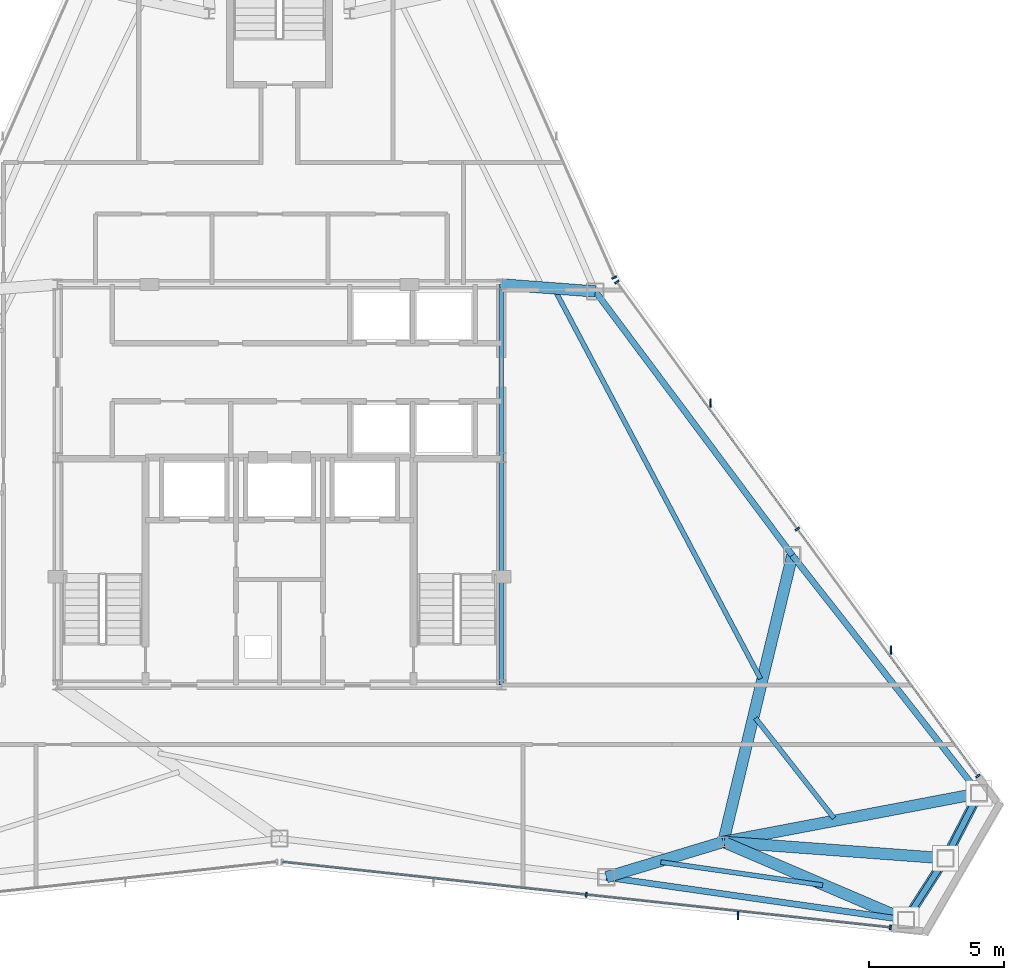
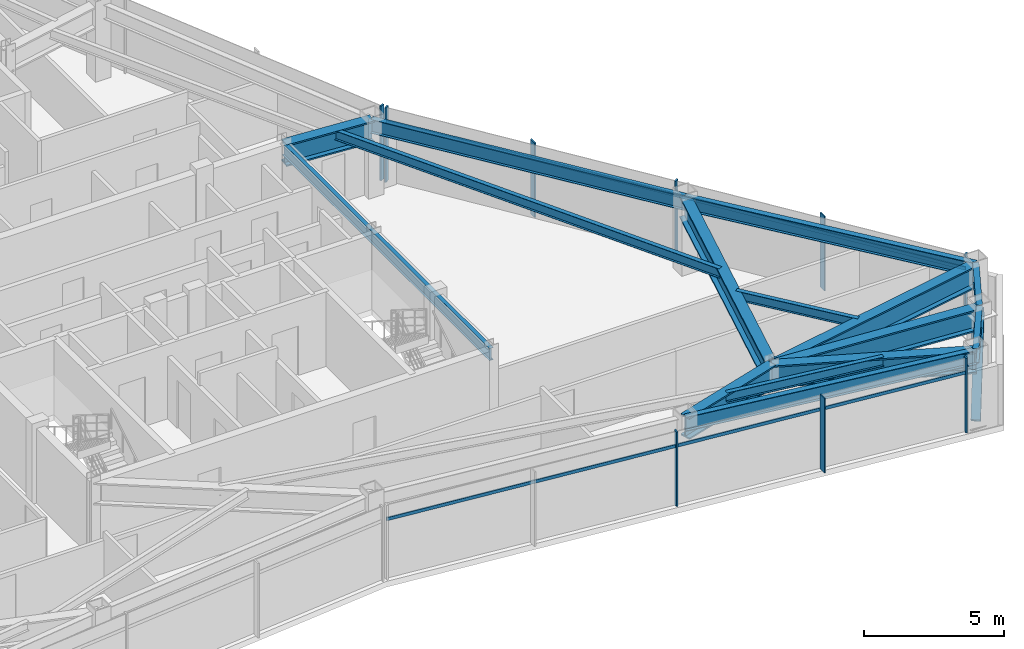
# One storey, part 6 of 12: 15 beams, 13 members, 3 elements without a shape of their own.
"""IFC4 building model written with IfcOpenShell, lengths in metres."""

from ifc_helpers import new_model, si_unit, direction, frame, origin, origin_2d, place, context, subcontext, project, spatial, rectangle, hollow_rectangle, i_section, extrude, source, transform, mapped, material, layer, layer_set, material_profile, profile_set, type_object, type_shapes, element, aggregate, save


model = new_model("IFC4")

# Units and contexts
model_context = context("Model", 3, precision=1e-05, world=origin(), true_north=direction((0.0, 1.0)))
body_context = subcontext(model_context, "Body", "Model", "MODEL_VIEW")
ifc_project = project(units=[si_unit("LENGTHUNIT", "METRE"), si_unit("AREAUNIT", "SQUARE_METRE"), si_unit("VOLUMEUNIT", "CUBIC_METRE"), si_unit("PLANEANGLEUNIT", "RADIAN"), si_unit("MASSUNIT", "GRAM", prefix="KILO")], contexts=[model_context])

# Site, building, storey
site_placement = place(None, origin())
site = spatial("IfcSite", under=ifc_project, at=site_placement, CompositionType="ELEMENT")
building_placement = place(site_placement, origin())
building = spatial("IfcBuilding", under=site, at=building_placement, Name="Varakhsha Concourse Tower", CompositionType="ELEMENT")
storey_placement = place(building_placement, frame((0.0, 0.0, 269.0)))
storey = spatial("IfcBuildingStorey", under=building, at=storey_placement, Name="L76", CompositionType="ELEMENT", Elevation=269.0)

# Beams
ifc_material_1 = material(Name="Structural Steel ASTM A992 Grade 50", Category="steel")
ifc_material_profile_1 = material_profile(ifc_material_1, i_section(OverallWidth=0.177978515625, OverallDepth=0.406982421875, WebThickness=0.008056640625, FlangeThickness=0.012939453125, at=origin_2d()), Name="W16X40")
ifc_profile_set_1 = profile_set([ifc_material_profile_1], Name="Structural Steel ASTM A992 Grade 50")
beam_type_1 = type_object("IfcBeamType", Name="BM-JST-W16X40", PredefinedType="JOIST", material=ifc_profile_set_1)
beam_1_placement = place(storey_placement, frame((54.08984375, 9.85302734375, 3.04638671875), z_axis=(0.989961614971, -0.141336481079, 0.0), x_axis=(0.141336481079, 0.989961614971, 0.0)))
element("IfcBeam", 1, at=beam_1_placement, inside=storey, type_object=beam_type_1, Name="BM-TJST-L76-12", PredefinedType="JOIST", context=body_context, shape_type="SweptSolid", body=[
    extrude(i_section(OverallWidth=0.177978515625, OverallDepth=0.406982421875, WebThickness=0.008056640625, FlangeThickness=0.012939453125, at=origin_2d()), origin(), (0.0, 0.0, 1.0), 6.04052734375),
])
beam_2_placement = place(storey_placement, frame((60.49072265625, 11.47705078125, 3.04638671875), z_axis=(-0.617387784839, 0.786658962404, 0.0), x_axis=(-0.786658962404, -0.617387784839, 0.0)))
element("IfcBeam", 2, at=beam_2_placement, inside=storey, type_object=beam_type_1, Name="BM-TJST-L76-15", PredefinedType="JOIST", context=body_context, shape_type="SweptSolid", body=[
    extrude(i_section(OverallWidth=0.177978515625, OverallDepth=0.406982421875, WebThickness=0.008056640625, FlangeThickness=0.012939453125, at=origin_2d()), origin(), (0.0, 0.0, 1.0), 4.698974609375),
])
beam_3_placement = place(storey_placement, frame((57.776123046875, 16.628173828125, 3.04638671875), z_axis=(-0.467662806128, 0.883906951983, 0.0), x_axis=(-0.883906951983, -0.467662806128, 0.0)))
element("IfcBeam", 3, at=beam_3_placement, inside=storey, type_object=beam_type_1, Name="BM-TJST-L76-16", PredefinedType="JOIST", context=body_context, shape_type="SweptSolid", body=[
    extrude(i_section(OverallWidth=0.177978515625, OverallDepth=0.406982421875, WebThickness=0.008056640625, FlangeThickness=0.012939453125, at=origin_2d()), origin(), (0.0, 0.0, 1.0), 16.2099609375),
])
ifc_material_profile_2 = material_profile(ifc_material_1, i_section(OverallWidth=0.423095703125, OverallDepth=0.947998046875, WebThickness=0.0380859375, FlangeThickness=0.06396484375, at=origin_2d()), Name="W36X302")
ifc_profile_set_2 = profile_set([ifc_material_profile_2], Name="Structural Steel ASTM A992 Grade 50")
beam_type_2 = type_object("IfcBeamType", Name="BM-OUTR-W36X302", PredefinedType="USERDEFINED", material=ifc_profile_set_2)
beam_4_placement = place(storey_placement, frame((56.39990234375, 10.60009765625, 2.77587890625), z_axis=(-0.957197136996, -0.289436764988, 0.0), x_axis=(0.289436764988, -0.957197136996, 0.0)))
element("IfcBeam", 4, at=beam_4_placement, inside=storey, type_object=beam_type_2, Name="L76 Radial Floor Girder 12", ObjectType="GIRDER", PredefinedType="USERDEFINED", context=body_context, shape_type="SweptSolid", body=[
    extrude(i_section(OverallWidth=0.423095703125, OverallDepth=0.947998046875, WebThickness=0.0380859375, FlangeThickness=0.06396484375, at=origin_2d()), origin(), (0.0, 0.0, 1.0), 4.5126953125),
])
beam_5_placement = place(storey_placement, frame((56.39990234375, 10.60009765625, 2.77587890625), z_axis=(0.91941323133, -0.393292906184, 0.0), x_axis=(0.393292906184, 0.91941323133, 0.0)))
element("IfcBeam", 5, at=beam_5_placement, inside=storey, type_object=beam_type_2, Name="L76 Radial Floor Girder 13", ObjectType="GIRDER", PredefinedType="USERDEFINED", context=body_context, shape_type="SweptSolid", body=[
    extrude(i_section(OverallWidth=0.423095703125, OverallDepth=0.947998046875, WebThickness=0.0380859375, FlangeThickness=0.06396484375, at=origin_2d()), origin(), (0.0, 0.0, 1.0), 7.33935546875),
])
beam_6_placement = place(storey_placement, frame((56.39990234375, 10.60009765625, 2.77587890625), z_axis=(0.997263302263, -0.073931765569, 0.0), x_axis=(0.073931765569, 0.997263302263, 0.0)))
element("IfcBeam", 6, at=beam_6_placement, inside=storey, type_object=beam_type_2, Name="L76 Radial Floor Girder 14", ObjectType="GIRDER", PredefinedType="USERDEFINED", context=body_context, shape_type="SweptSolid", body=[
    extrude(i_section(OverallWidth=0.423095703125, OverallDepth=0.947998046875, WebThickness=0.0380859375, FlangeThickness=0.06396484375, at=origin_2d()), origin(), (0.0, 0.0, 1.0), 8.232421875),
])
beam_7_placement = place(storey_placement, frame((56.39990234375, 10.60009765625, 2.77587890625), z_axis=(0.982408020767, 0.186747103681, 0.0), x_axis=(-0.186747103681, 0.982408020767, 0.0)))
element("IfcBeam", 7, at=beam_7_placement, inside=storey, type_object=beam_type_2, Name="L76 Radial Floor Girder 15", ObjectType="GIRDER", PredefinedType="USERDEFINED", context=body_context, shape_type="SweptSolid", body=[
    extrude(i_section(OverallWidth=0.423095703125, OverallDepth=0.947998046875, WebThickness=0.0380859375, FlangeThickness=0.06396484375, at=origin_2d()), origin(), (0.0, 0.0, 1.0), 9.62060546875),
])
beam_8_placement = place(storey_placement, frame((56.39990234375, 10.60009765625, 2.77587890625), z_axis=(0.234020493668, 0.97223166403, 0.0), x_axis=(-0.97223166403, 0.234020493668, 0.0)))
element("IfcBeam", 8, at=beam_8_placement, inside=storey, type_object=beam_type_2, Name="L76 Radial Floor Girder 16", ObjectType="GIRDER", PredefinedType="USERDEFINED", context=body_context, shape_type="SweptSolid", body=[
    extrude(i_section(OverallWidth=0.423095703125, OverallDepth=0.947998046875, WebThickness=0.0380859375, FlangeThickness=0.06396484375, at=origin_2d()), origin(), (0.0, 0.0, 1.0), 10.8935546875),
])
beam_9_placement = place(storey_placement, frame((48.199951171875, 31.199951171875, 2.77587890625), z_axis=(0.997169282372, -0.075189243209, 0.0), x_axis=(0.075189243209, 0.997169282372, 0.0)))
element("IfcBeam", 9, at=beam_9_placement, inside=storey, type_object=beam_type_2, Name="L76 Radial Floor Girder 17", ObjectType="GIRDER", PredefinedType="USERDEFINED", context=body_context, shape_type="SweptSolid", body=[
    extrude(i_section(OverallWidth=0.423095703125, OverallDepth=0.947998046875, WebThickness=0.0380859375, FlangeThickness=0.06396484375, at=origin_2d()), origin(), (0.0, 0.0, 1.0), 3.480712890625),
])
ifc_material_profile_3 = material_profile(ifc_material_1, i_section(OverallWidth=0.1669921875, OverallDepth=0.534912109375, WebThickness=0.010009765625, FlangeThickness=0.01708984375, at=origin_2d()), Name="W21X57")
ifc_profile_set_3 = profile_set([ifc_material_profile_3], Name="Structural Steel ASTM A992 Grade 50")
beam_type_3 = type_object("IfcBeamType", Name="BM-RAD-W21X57", PredefinedType="BEAM", material=ifc_profile_set_3)
beam_10_placement = place(storey_placement, frame((48.199951171875, 16.39990234375, 2.982421875), z_axis=(0.0, 1.0, 0.0), x_axis=(-1.0, 0.0, 0.0)))
element("IfcBeam", 10, at=beam_10_placement, inside=storey, type_object=beam_type_3, Name="BM-TCORE-L76-CE", PredefinedType="BEAM", context=body_context, shape_type="SweptSolid", body=[
    extrude(i_section(OverallWidth=0.1669921875, OverallDepth=0.534912109375, WebThickness=0.010009765625, FlangeThickness=0.01708984375, at=origin_2d()), origin(), (0.0, 0.0, 1.0), 14.800048828125),
])
ifc_material_profile_4 = material_profile(ifc_material_1, i_section(OverallWidth=0.22900390625, OverallDepth=0.612060546875, WebThickness=0.011962890625, FlangeThickness=0.02001953125, at=origin_2d()), Name="W24X84")
ifc_profile_set_4 = profile_set([ifc_material_profile_4], Name="Structural Steel ASTM A992 Grade 50")
beam_type_4 = type_object("IfcBeamType", Name="BM-SPAN-W24X84", PredefinedType="SPANDREL", material=ifc_profile_set_4)
beam_11_placement = place(storey_placement, frame((52.080322265625, 9.2939453125, 2.944091796875), z_axis=(0.989958663525, -0.141357152321, 0.0), x_axis=(0.141357152321, 0.989958663525, 0.0)))
element("IfcBeam", 11, at=beam_11_placement, inside=storey, type_object=beam_type_4, Name="BM-SPAN-L76-12", PredefinedType="SPANDREL", context=body_context, shape_type="SweptSolid", body=[
    extrude(i_section(OverallWidth=0.22900390625, OverallDepth=0.612060546875, WebThickness=0.011962890625, FlangeThickness=0.02001953125, at=origin_2d()), origin(), (0.0, 0.0, 1.0), 11.1796875),
])
for number, where, z_axis, x_axis, name in (
    (12, (63.147705078125, 7.713623046875, 2.944091796875), (0.540192188796, 0.841541679992, 0.0), (-0.841541679992, 0.540192188796, 0.0), "BM-SPAN-L76-13"),
    (13, (64.60986328125, 9.991455078125, 2.944091796875), (0.458649812349, 0.888617099561, 0.0), (-0.888617099561, 0.458649812349, 0.0), "BM-SPAN-L76-14"),
):
    element("IfcBeam", number, at=place(storey_placement, frame(where, z_axis=z_axis, x_axis=x_axis)), inside=storey, type_object=beam_type_4, Name=name, PredefinedType="SPANDREL", context=body_context, shape_type="SweptSolid", body=[
        extrude(i_section(OverallWidth=0.22900390625, OverallDepth=0.612060546875, WebThickness=0.011962890625, FlangeThickness=0.02001953125, at=origin_2d()), origin(), (0.0, 0.0, 1.0), 2.706787109375),
    ])
beam_12_placement = place(storey_placement, frame((65.851318359375, 12.396728515625, 2.944091796875), z_axis=(-0.617389378054, 0.786657712011, 0.0), x_axis=(-0.786657712011, -0.617389378054, 0.0)))
element("IfcBeam", 14, at=beam_12_placement, inside=storey, type_object=beam_type_4, Name="BM-SPAN-L76-15", PredefinedType="SPANDREL", context=body_context, shape_type="SweptSolid", body=[
    extrude(i_section(OverallWidth=0.22900390625, OverallDepth=0.612060546875, WebThickness=0.011962890625, FlangeThickness=0.02001953125, at=origin_2d()), origin(), (0.0, 0.0, 1.0), 11.179443359375),
])
beam_13_placement = place(storey_placement, frame((58.94921875, 21.191162109375, 2.944091796875), z_axis=(-0.598316034428, 0.801260209262, 0.0), x_axis=(-0.801260209262, -0.598316034428, 0.0)))
element("IfcBeam", 15, at=beam_13_placement, inside=storey, type_object=beam_type_4, Name="BM-SPAN-L76-16", PredefinedType="SPANDREL", context=body_context, shape_type="SweptSolid", body=[
    extrude(i_section(OverallWidth=0.22900390625, OverallDepth=0.612060546875, WebThickness=0.011962890625, FlangeThickness=0.02001953125, at=origin_2d()), origin(), (0.0, 0.0, 1.0), 12.164794921875),
])

# Members
ifc_material_2 = material(Name="Structural Steel ASTM A500 Grade C", Category="steel")
ifc_material_profile_5 = material_profile(ifc_material_2, hollow_rectangle(XDim=0.35009765625, YDim=0.35009765625, WallThickness=0.01611328125, at=origin_2d()), Name="HSS 350x350x16")
ifc_profile_set_5 = profile_set([ifc_material_profile_5], Name="Structural Steel ASTM A500 Grade C")
member_type_1 = type_object("IfcMemberType", Name="MB-TUBE-HSS350", PredefinedType="BRACE", material=ifc_profile_set_5)
shared_shape_1 = source(origin(), body_context, "Body", "SweptSolid", [
    extrude(hollow_rectangle(XDim=0.35009765625, YDim=0.35009765625, WallThickness=0.01611328125, at=origin_2d()), origin(), (0.0, 0.0, 1.0), 3.916015625),
])
type_shapes(member_type_1, [shared_shape_1])
for number, where, z_axis, x_axis, name in (
    (16, (63.147705078125, 7.713623046875, 0.1201171875), (0.373388702082, 0.581685855806, 0.722649598569), (-0.841541679992, 0.540192188796, 0.0), "L76 Wind-Corner Tube Brace B05"),
    (17, (65.851318359375, 12.396728515625, 0.1201171875), (-0.317026844456, -0.614227821352, 0.722646637971), (0.888617099561, -0.458649812349, 0.0), "L76 Wind-Corner Tube Brace B06"),
):
    element("IfcMember", number, at=place(storey_placement, frame(where, z_axis=z_axis, x_axis=x_axis)), inside=storey, type_object=member_type_1, Name=name, PredefinedType="BRACE", context=body_context, shape_type="MappedRepresentation", body=[
        mapped(shared_shape_1, transform((0.0, 0.0, 0.0), scale=1.0)),
    ])

# Curtain wall, members
ifc_material_3 = material(Name="Anodised Bronze Architectural Aluminium AA 6063-T6", Category="aluminium")
ifc_layer = layer(ifc_material_3, 0.199951171875, Name="CW-SYS-05")
ifc_layer_set = layer_set([ifc_layer], Name="Anodised Bronze Architectural Aluminium AA 6063-T6")
curtain_wall_type = type_object("IfcCurtainWallType", Name="CW-SYS-05", PredefinedType="NOTDEFINED", material=ifc_layer_set)
curtain_wall_1_placement = place(storey_placement, origin())
curtain_wall_1 = element("IfcCurtainWall", 18, at=curtain_wall_1_placement, inside=storey, type_object=curtain_wall_type, Name="L76 Crystal Curtain Wall F6", PredefinedType="NOTDEFINED")
ifc_material_profile_6 = material_profile(ifc_material_3, rectangle(XDim=0.06494140625, YDim=0.179931640625, at=origin_2d()), Name="CWM-180X65")
ifc_profile_set_6 = profile_set([ifc_material_profile_6], Name="Anodised Bronze Architectural Aluminium AA 6063-T6")
member_type_2 = type_object("IfcMemberType", Name="CWM-180X65", PredefinedType="MULLION", material=ifc_profile_set_6)
shared_shape_2 = source(origin(), body_context, "Body", "SweptSolid", [
    extrude(rectangle(XDim=0.06494140625, YDim=0.179931640625, at=origin_2d()), origin(), (0.0, 0.0, 1.0), 3.25),
])
type_shapes(member_type_2, [shared_shape_2])
member_1_placement = place(storey_placement, frame((62.5771484375, 7.43798828125, 0.0), z_axis=(0.0, 0.0, 1.0), x_axis=(-0.994236415458, 0.10720984179, 0.0)))
member_1 = element("IfcMember", 19, at=member_1_placement, type_object=member_type_2, Name="CW-L76-F6 Mullion 00", PredefinedType="MULLION", context=body_context, shape_type="MappedRepresentation", body=[
    mapped(shared_shape_2, transform((0.0, 0.0, 0.0), scale=1.0)),
])
member_2_placement = place(storey_placement, frame((51.3369140625, 8.64990234375, 0.0), z_axis=(0.0, 0.0, 1.0), x_axis=(-0.994236415458, 0.10720984179, 0.0)))
member_2 = element("IfcMember", 20, at=member_2_placement, type_object=member_type_2, Name="CW-L76-F6 Mullion 01", PredefinedType="MULLION", context=body_context, shape_type="MappedRepresentation", body=[
    mapped(shared_shape_2, transform((0.0, 0.0, 0.0), scale=1.0)),
])

curtain_wall_2_placement = place(storey_placement, origin())
curtain_wall_2 = element("IfcCurtainWall", 21, at=curtain_wall_2_placement, inside=storey, type_object=curtain_wall_type, Name="L76 Crystal Curtain Wall F8", PredefinedType="NOTDEFINED")
member_3_placement = place(storey_placement, frame((52.46533203125, 31.28515625, 0.0), z_axis=(0.0, 0.0, 1.0), x_axis=(0.589960426558, -0.807432161296, 0.0)))
member_3 = element("IfcMember", 22, at=member_3_placement, type_object=member_type_2, Name="CW-L76-F8 Mullion 00", PredefinedType="MULLION", context=body_context, shape_type="MappedRepresentation", body=[
    mapped(shared_shape_2, transform((0.0, 0.0, 0.0), scale=1.0)),
])
member_4_placement = place(storey_placement, frame((59.135009765625, 22.156982421875, 0.0), z_axis=(0.0, 0.0, 1.0), x_axis=(0.589960426558, -0.807432161296, 0.0)))
member_4 = element("IfcMember", 23, at=member_4_placement, type_object=member_type_2, Name="CW-L76-F8 Mullion 01", PredefinedType="MULLION", context=body_context, shape_type="MappedRepresentation", body=[
    mapped(shared_shape_2, transform((0.0, 0.0, 0.0), scale=1.0)),
])
member_5_placement = place(storey_placement, frame((65.804931640625, 13.028564453125, 0.0), z_axis=(0.0, 0.0, 1.0), x_axis=(0.589960426558, -0.807432161296, 0.0)))
member_5 = element("IfcMember", 24, at=member_5_placement, type_object=member_type_2, Name="CW-L76-F8 Mullion 02", PredefinedType="MULLION", context=body_context, shape_type="MappedRepresentation", body=[
    mapped(shared_shape_2, transform((0.0, 0.0, 0.0), scale=1.0)),
])

# Curtain wall, member
curtain_wall_3_placement = place(storey_placement, origin())
curtain_wall_3 = element("IfcCurtainWall", 25, at=curtain_wall_3_placement, inside=storey, type_object=curtain_wall_type, Name="L76 Crystal Curtain Wall F9", PredefinedType="NOTDEFINED")
member_6_placement = place(storey_placement, frame((52.36865234375, 31.45263671875, 0.0), z_axis=(0.0, 0.0, 1.0), x_axis=(0.404273357549, -0.914638208461, 0.0)))
member_6 = element("IfcMember", 26, at=member_6_placement, type_object=member_type_2, Name="CW-L76-F9 Mullion 02", PredefinedType="MULLION", context=body_context, shape_type="MappedRepresentation", body=[
    mapped(shared_shape_2, transform((0.0, 0.0, 0.0), scale=1.0)),
])
aggregate(curtain_wall_3, [member_6])

# Member
ifc_material_profile_7 = material_profile(ifc_material_3, rectangle(XDim=0.054931640625, YDim=0.300048828125, at=origin_2d()), Name="FIN-BRZ-300")
ifc_profile_set_7 = profile_set([ifc_material_profile_7], Name="Anodised Bronze Architectural Aluminium AA 6063-T6")
member_type_3 = type_object("IfcMemberType", Name="FIN-BRZ-300", PredefinedType="USERDEFINED", material=ifc_profile_set_7)
shared_shape_3 = source(origin(), body_context, "Body", "SweptSolid", [
    extrude(rectangle(XDim=0.054931640625, YDim=0.300048828125, at=origin_2d()), origin(), (0.0, 0.0, 1.0), 3.25),
])
type_shapes(member_type_3, [shared_shape_3])
member_7_placement = place(storey_placement, frame((56.939453125, 7.8798828125, 0.0), z_axis=(0.0, 0.0, 1.0), x_axis=(1.0, 0.0, 0.0)))
member_7 = element("IfcMember", 27, at=member_7_placement, type_object=member_type_3, Name="L76 Anodised Bronze Solar Fin F6-1", ObjectType="SOLAR FIN", PredefinedType="USERDEFINED", context=body_context, shape_type="MappedRepresentation", body=[
    mapped(shared_shape_3, transform((0.0, 0.0, 0.0), scale=1.0)),
])

member_8_placement = place(storey_placement, frame((55.93359375, 26.818359375, 0.0), z_axis=(0.0, 0.0, 1.0), x_axis=(1.0, 0.0, 0.0)))
member_8 = element("IfcMember", 28, at=member_8_placement, type_object=member_type_3, Name="L76 Anodised Bronze Solar Fin F8-1", ObjectType="SOLAR FIN", PredefinedType="USERDEFINED", context=body_context, shape_type="MappedRepresentation", body=[
    mapped(shared_shape_3, transform((0.0, 0.0, 0.0), scale=1.0)),
])

member_9_placement = place(storey_placement, frame((62.603271484375, 17.68994140625, 0.0), z_axis=(0.0, 0.0, 1.0), x_axis=(1.0, 0.0, 0.0)))
member_9 = element("IfcMember", 29, at=member_9_placement, type_object=member_type_3, Name="L76 Anodised Bronze Solar Fin F8-2", ObjectType="SOLAR FIN", PredefinedType="USERDEFINED", context=body_context, shape_type="MappedRepresentation", body=[
    mapped(shared_shape_3, transform((0.0, 0.0, 0.0), scale=1.0)),
])

ifc_material_profile_8 = material_profile(ifc_material_3, rectangle(XDim=0.06005859375, YDim=0.139892578125, at=origin_2d()), Name="CWT-140X60")
ifc_profile_set_8 = profile_set([ifc_material_profile_8], Name="Anodised Bronze Architectural Aluminium AA 6063-T6")
member_type_4 = type_object("IfcMemberType", Name="CWT-140X60", PredefinedType="USERDEFINED", material=ifc_profile_set_8)
shared_shape_4 = source(origin(), body_context, "Body", "SweptSolid", [
    extrude(rectangle(XDim=0.06005859375, YDim=0.139892578125, at=origin_2d()), origin(), (0.0, 0.0, 1.0), 22.61083984375),
])
type_shapes(member_type_4, [shared_shape_4])
member_10_placement = place(storey_placement, frame((62.5771484375, 7.43798828125, 2.60009765625), z_axis=(-0.994236541478, 0.107208673114, 0.0), x_axis=(-0.107208673114, -0.994236541478, 0.0)))
member_10 = element("IfcMember", 30, at=member_10_placement, type_object=member_type_4, Name="CW-L76-F6 Transom 01", ObjectType="TRANSOM", PredefinedType="USERDEFINED", context=body_context, shape_type="MappedRepresentation", body=[
    mapped(shared_shape_4, transform((0.0, 0.0, 0.0), scale=1.0)),
])

aggregate(curtain_wall_1, [member_1, member_2, member_10, member_7])

member_11_placement = place(storey_placement, frame((52.46533203125, 31.28515625, 2.60009765625), z_axis=(0.589965963721, -0.807428115469, 0.0), x_axis=(0.807428115469, 0.589965963721, 0.0)))
member_11 = element("IfcMember", 31, at=member_11_placement, type_object=member_type_4, Name="CW-L76-F8 Transom 01", ObjectType="TRANSOM", PredefinedType="USERDEFINED", context=body_context, shape_type="MappedRepresentation", body=[
    mapped(shared_shape_4, transform((0.0, 0.0, 0.0), scale=1.0)),
])

aggregate(curtain_wall_2, [member_3, member_4, member_5, member_11, member_8, member_9])

save(model, "model.ifc")
